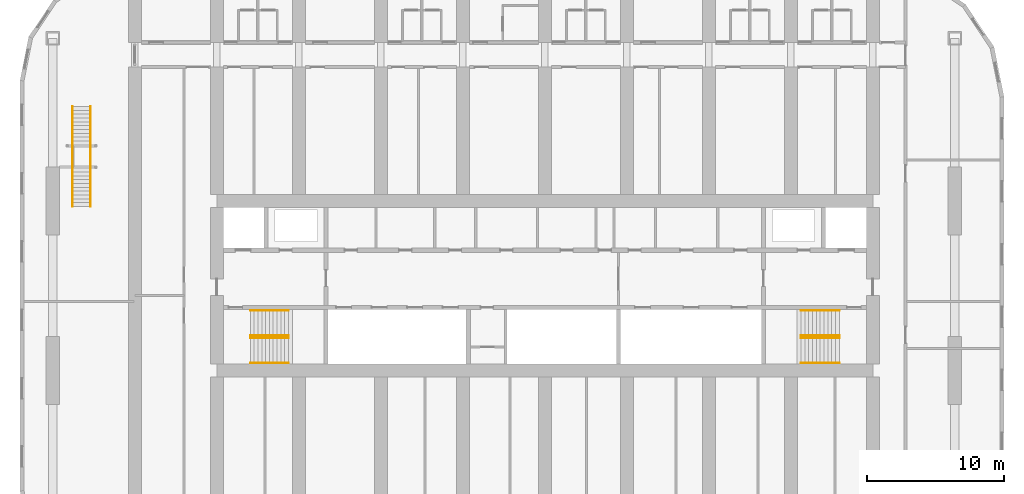
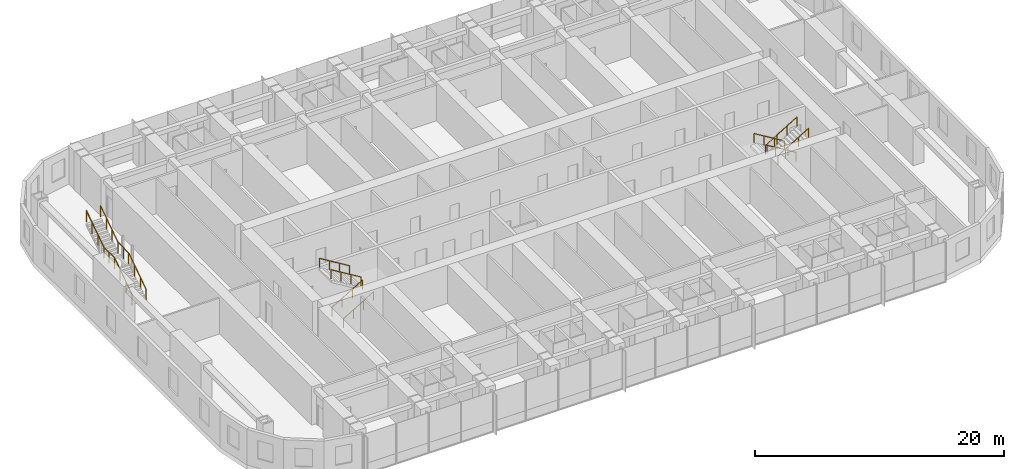
# One storey, part 25 of 25: 10 railings.
"""IFC4 building model written with IfcOpenShell, lengths in metres."""

from ifc_helpers import new_model, si_unit, direction, frame, origin, origin_2d, place, context, subcontext, project, spatial, circle, extrude, material, type_object, element, save


model = new_model("IFC4")

# Units and contexts
model_context = context("Model", 3, precision=1e-05, world=origin(), true_north=direction((0.0, 1.0)))
body_context = subcontext(model_context, "Body", "Model", "MODEL_VIEW")
ifc_project = project(units=[si_unit("LENGTHUNIT", "METRE"), si_unit("AREAUNIT", "SQUARE_METRE"), si_unit("VOLUMEUNIT", "CUBIC_METRE"), si_unit("PLANEANGLEUNIT", "RADIAN"), si_unit("MASSUNIT", "GRAM", prefix="KILO")], contexts=[model_context])

# Site, building, storey
site_placement = place(None, origin())
site = spatial("IfcSite", under=ifc_project, at=site_placement, CompositionType="ELEMENT")
building_placement = place(site_placement, origin())
building = spatial("IfcBuilding", under=site, at=building_placement, Name="Orbita Commons", CompositionType="ELEMENT")
storey_placement = place(building_placement, frame((0.0, 0.0, 99.39990234375)))
storey = spatial("IfcBuildingStorey", under=building, at=storey_placement, Name="L24", CompositionType="ELEMENT", Elevation=99.39990234375)

# Railings
ifc_material_1 = material(Name="Laminated glass, steel handrail", Category="steel")
railing_type_1 = type_object("IfcRailingType", Name="Feature stair balustrade, glass on steel stringer 1100", PredefinedType="BALUSTRADE", material=ifc_material_1)
for number, where, name in (
    (1, (7.43994140625, 37.800048828125, 0.0), "Neighbourhood stair L24 to L25 balustrade L"),
    (2, (8.760009765625, 37.800048828125, 0.0), "Neighbourhood stair L24 to L25 balustrade R"),
):
    element("IfcRailing", number, at=place(storey_placement, frame(where)), inside=storey, type_object=railing_type_1, Name=name, PredefinedType="BALUSTRADE", context=body_context, shape_type="SweptSolid", body=[
        extrude(circle(Radius=0.02490234375, at=origin_2d()), frame((0.0, 0.0, 1.0751953125), z_axis=(0.0, 0.830911662861, 0.55640435703), x_axis=(-1.0, 0.0, 0.0)), (0.0, 0.0, 1.0), 3.369873046875),
        extrude(circle(Radius=0.02490234375, at=origin_2d()), frame((0.0, 2.800048828125, 2.9501953125), z_axis=(0.0, 1.0, 0.0), x_axis=(-1.0, 0.0, 0.0)), (0.0, 0.0, 1.0), 1.7099609375),
        extrude(circle(Radius=0.02490234375, at=origin_2d()), frame((0.0, 4.510009765625, 2.9501953125), z_axis=(0.0, 0.830911662861, 0.55640435703), x_axis=(-1.0, 0.0, 0.0)), (0.0, 0.0, 1.0), 3.369873046875),
        extrude(circle(Radius=0.02001953125, at=origin_2d()), origin(), (0.0, 0.0, 1.0), 1.050048828125),
        extrude(circle(Radius=0.02001953125, at=origin_2d()), frame((0.0, 0.933349609375, 0.625)), (0.0, 0.0, 1.0), 1.050048828125),
        extrude(circle(Radius=0.02001953125, at=origin_2d()), frame((0.0, 1.86669921875, 1.25)), (0.0, 0.0, 1.0), 1.050048828125),
        extrude(circle(Radius=0.02001953125, at=origin_2d()), frame((0.0, 2.800048828125, 1.875)), (0.0, 0.0, 1.0), 1.050048828125),
        extrude(circle(Radius=0.02001953125, at=origin_2d()), frame((0.0, 3.655029296875, 1.875)), (0.0, 0.0, 1.0), 1.050048828125),
        extrude(circle(Radius=0.02001953125, at=origin_2d()), frame((0.0, 4.510009765625, 1.875)), (0.0, 0.0, 1.0), 1.050048828125),
        extrude(circle(Radius=0.02001953125, at=origin_2d()), frame((0.0, 5.443359375, 2.5)), (0.0, 0.0, 1.0), 1.050048828125),
        extrude(circle(Radius=0.02001953125, at=origin_2d()), frame((0.0, 6.376708984375, 3.125)), (0.0, 0.0, 1.0), 1.050048828125),
        extrude(circle(Radius=0.02001953125, at=origin_2d()), frame((0.0, 7.31005859375, 3.75)), (0.0, 0.0, 1.0), 1.050048828125),
    ])
ifc_material_2 = material(Name="Steel tube, painted", Category="steel")
railing_type_2 = type_object("IfcRailingType", Name="Stair handrail steel tube 900", PredefinedType="HANDRAIL", material=ifc_material_2)
for number, where, name in (
    (3, (20.449951171875, 28.1650390625, 0.170654296875), "Stair S1 handrail L24 flight 1"),
    (4, (20.449951171875, 26.3349609375, 0.170654296875), "Stair S1 handrail L24 flight 1"),
):
    element("IfcRailing", number, at=place(storey_placement, frame(where)), inside=storey, type_object=railing_type_2, Name=name, PredefinedType="HANDRAIL", context=body_context, shape_type="SweptSolid", body=[
        extrude(circle(Radius=0.02099609375, at=origin_2d()), frame((0.0, 0.0, 0.87890625), z_axis=(0.854202870247, 0.0, 0.519939858505), x_axis=(0.0, 1.0, 0.0)), (0.0, 0.0, 1.0), 3.278076171875),
        extrude(circle(Radius=0.02001953125, at=origin_2d()), origin(), (0.0, 0.0, 1.0), 0.85791015625),
        extrude(circle(Radius=0.02001953125, at=origin_2d()), frame((0.933349609375, 0.0, 0.568115234375)), (0.0, 0.0, 1.0), 0.85791015625),
        extrude(circle(Radius=0.02001953125, at=origin_2d()), frame((1.86669921875, 0.0, 1.13623046875)), (0.0, 0.0, 1.0), 0.85791015625),
        extrude(circle(Radius=0.02001953125, at=origin_2d()), frame((2.800048828125, 0.0, 1.704345703125)), (0.0, 0.0, 1.0), 0.85791015625),
    ])
for number, where, name in (
    (5, (23.25, 28.360107421875, 2.045654296875), "Stair S1 handrail L24 flight 2"),
    (6, (23.25, 30.18994140625, 2.045654296875), "Stair S1 handrail L24 flight 2"),
    (7, (63.550048828125, 28.360107421875, 0.170654296875), "Stair S2 handrail L24 flight 1"),
    (8, (63.550048828125, 30.18994140625, 0.170654296875), "Stair S2 handrail L24 flight 1"),
):
    element("IfcRailing", number, at=place(storey_placement, frame(where)), inside=storey, type_object=railing_type_2, Name=name, PredefinedType="HANDRAIL", context=body_context, shape_type="SweptSolid", body=[
        extrude(circle(Radius=0.02099609375, at=origin_2d()), frame((0.0, 0.0, 0.87890625), z_axis=(-0.854202870247, 0.0, 0.519939858505), x_axis=(0.0, -1.0, 0.0)), (0.0, 0.0, 1.0), 3.278076171875),
        extrude(circle(Radius=0.02001953125, at=origin_2d()), origin(), (0.0, 0.0, 1.0), 0.85791015625),
        extrude(circle(Radius=0.02001953125, at=origin_2d()), frame((-0.933349609375, 0.0, 0.568115234375)), (0.0, 0.0, 1.0), 0.85791015625),
        extrude(circle(Radius=0.02001953125, at=origin_2d()), frame((-1.86669921875, 0.0, 1.13623046875)), (0.0, 0.0, 1.0), 0.85791015625),
        extrude(circle(Radius=0.02001953125, at=origin_2d()), frame((-2.800048828125, 0.0, 1.704345703125)), (0.0, 0.0, 1.0), 0.85791015625),
    ])
for number, where, name in (
    (9, (60.75, 28.1650390625, 2.045654296875), "Stair S2 handrail L24 flight 2"),
    (10, (60.75, 26.3349609375, 2.045654296875), "Stair S2 handrail L24 flight 2"),
):
    element("IfcRailing", number, at=place(storey_placement, frame(where)), inside=storey, type_object=railing_type_2, Name=name, PredefinedType="HANDRAIL", context=body_context, shape_type="SweptSolid", body=[
        extrude(circle(Radius=0.02099609375, at=origin_2d()), frame((0.0, 0.0, 0.87890625), z_axis=(0.854202870247, 0.0, 0.519939858505), x_axis=(0.0, 1.0, 0.0)), (0.0, 0.0, 1.0), 3.278076171875),
        extrude(circle(Radius=0.02001953125, at=origin_2d()), origin(), (0.0, 0.0, 1.0), 0.85791015625),
        extrude(circle(Radius=0.02001953125, at=origin_2d()), frame((0.933349609375, 0.0, 0.568115234375)), (0.0, 0.0, 1.0), 0.85791015625),
        extrude(circle(Radius=0.02001953125, at=origin_2d()), frame((1.86669921875, 0.0, 1.13623046875)), (0.0, 0.0, 1.0), 0.85791015625),
        extrude(circle(Radius=0.02001953125, at=origin_2d()), frame((2.800048828125, 0.0, 1.704345703125)), (0.0, 0.0, 1.0), 0.85791015625),
    ])

save(model, "model.ifc")
